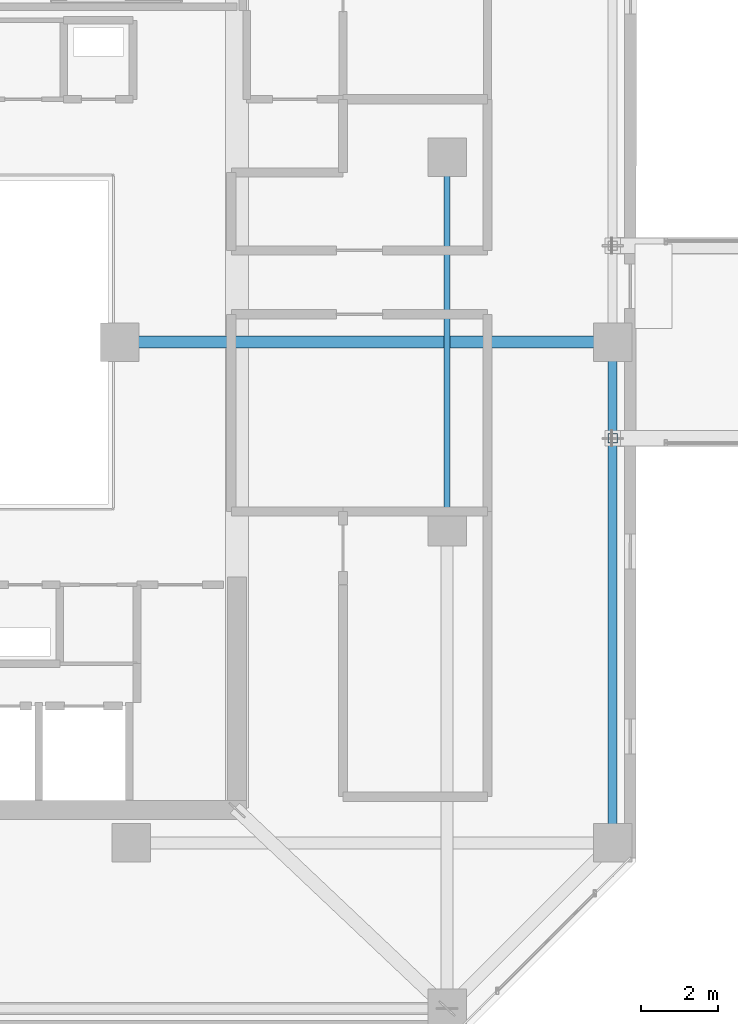
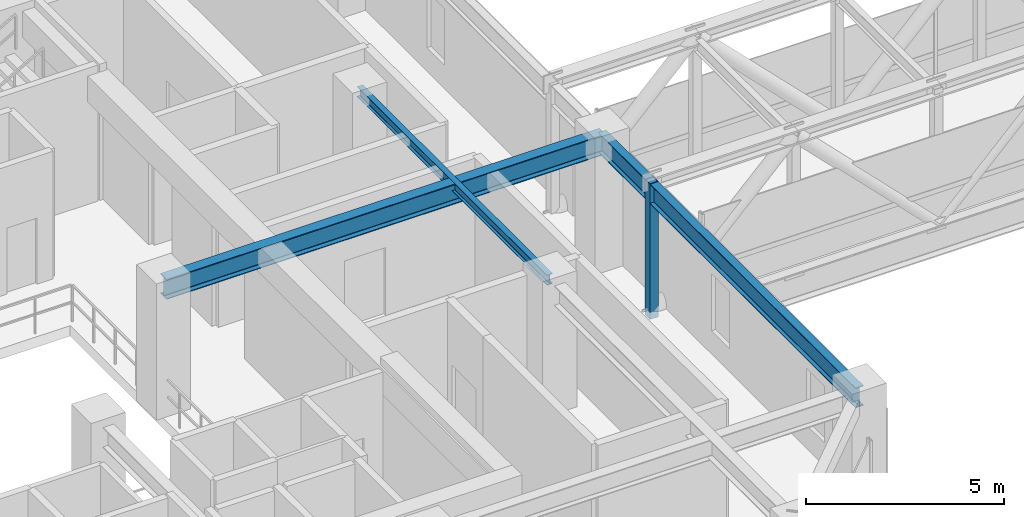
# One storey, part 7 of 42: 3 beams, 1 member.
"""IFC4 building model written with IfcOpenShell, lengths in metres."""

from ifc_helpers import new_model, si_unit, direction, frame, origin, origin_2d, place, context, subcontext, project, spatial, hollow_rectangle, i_section, extrude, material, material_profile, profile_set, type_object, element, save


model = new_model("IFC4")

# Units and contexts
model_context = context("Model", 3, precision=1e-05, world=origin(), true_north=direction((0.0, 1.0)))
body_context = subcontext(model_context, "Body", "Model", "MODEL_VIEW")
ifc_project = project(units=[si_unit("LENGTHUNIT", "METRE"), si_unit("AREAUNIT", "SQUARE_METRE"), si_unit("VOLUMEUNIT", "CUBIC_METRE"), si_unit("PLANEANGLEUNIT", "RADIAN"), si_unit("MASSUNIT", "GRAM", prefix="KILO")], contexts=[model_context])

# Site, building, storey
site_placement = place(None, origin())
site = spatial("IfcSite", under=ifc_project, at=site_placement, CompositionType="ELEMENT")
building_placement = place(site_placement, origin())
building = spatial("IfcBuilding", under=site, at=building_placement, Name="Thornwick Lancets Civic Towers", CompositionType="ELEMENT")
storey_placement = place(building_placement, frame((0.0, 0.0, 221.699951171875)))
storey = spatial("IfcBuildingStorey", under=building, at=storey_placement, Name="L59", CompositionType="ELEMENT", Elevation=221.699951171875)

# Beams
ifc_material_1 = material(Name="Steel S355JR", Category="steel")
ifc_material_profile_1 = material_profile(ifc_material_1, i_section(OverallWidth=0.230224609375, OverallDepth=0.6171875, WebThickness=0.01318359375, FlangeThickness=0.022216796875, FilletRadius=0.0126953125, at=origin_2d()), Name="UKB 610x229x140")
ifc_profile_set_1 = profile_set([ifc_material_profile_1], Name="Steel S355JR")
beam_type_1 = type_object("IfcBeamType", Name="BM_GIRD_610_140", PredefinedType="BEAM", material=ifc_profile_set_1)
beam_1_placement = place(storey_placement, frame((42.800048828125, 14.0, 3.6513671875), z_axis=(0.0, 1.0, 0.0), x_axis=(-1.0, 0.0, 0.0)))
element("IfcBeam", 1, at=beam_1_placement, inside=storey, type_object=beam_type_1, Name="BM-SPINE-L59-A-3-4", PredefinedType="BEAM", context=body_context, shape_type="SweptSolid", body=[
    extrude(i_section(OverallWidth=0.230224609375, OverallDepth=0.6171875, WebThickness=0.01318359375, FlangeThickness=0.022216796875, FilletRadius=0.0126953125, at=origin_2d()), origin(), (0.0, 0.0, 1.0), 13.0),
])
ifc_material_profile_2 = material_profile(ifc_material_1, i_section(OverallWidth=0.30712890625, OverallDepth=0.6201171875, WebThickness=0.01416015625, FlangeThickness=0.023681640625, FilletRadius=0.0166015625, at=origin_2d()), Name="UKB 610x305x179")
ifc_profile_set_2 = profile_set([ifc_material_profile_2], Name="Steel S355JR")
beam_type_2 = type_object("IfcBeamType", Name="BM_GIRD_610_179", PredefinedType="BEAM", material=ifc_profile_set_2)
beam_2_placement = place(storey_placement, frame((30.0, 27.0, 3.64990234375), z_axis=(1.0, 0.0, 0.0), x_axis=(0.0, 1.0, 0.0)))
element("IfcBeam", 2, at=beam_2_placement, inside=storey, type_object=beam_type_2, Name="BM-RADIN-L59-A05", PredefinedType="BEAM", context=body_context, shape_type="SweptSolid", body=[
    extrude(i_section(OverallWidth=0.30712890625, OverallDepth=0.6201171875, WebThickness=0.01416015625, FlangeThickness=0.023681640625, FilletRadius=0.0166015625, at=origin_2d()), origin(), (0.0, 0.0, 1.0), 12.800048828125),
])
ifc_material_profile_3 = material_profile(ifc_material_1, i_section(OverallWidth=0.1669921875, OverallDepth=0.310302734375, WebThickness=0.0078125, FlangeThickness=0.013671875, FilletRadius=0.0087890625, at=origin_2d()), Name="UKB 305x165x54")
ifc_profile_set_3 = profile_set([ifc_material_profile_3], Name="Steel S355JR")
beam_type_3 = type_object("IfcBeamType", Name="BM_LINTEL_305_54", PredefinedType="LINTEL", material=ifc_profile_set_3)
beam_3_placement = place(storey_placement, frame((38.5, 22.199951171875, 3.804931640625), z_axis=(0.0, 1.0, 0.0), x_axis=(-1.0, 0.0, 0.0)))
element("IfcBeam", 3, at=beam_3_placement, inside=storey, type_object=beam_type_3, Name="BM-INSP-L59-A-1-3", PredefinedType="LINTEL", context=body_context, shape_type="SweptSolid", body=[
    extrude(i_section(OverallWidth=0.1669921875, OverallDepth=0.310302734375, WebThickness=0.0078125, FlangeThickness=0.013671875, FilletRadius=0.0087890625, at=origin_2d()), origin(), (0.0, 0.0, 1.0), 9.60009765625),
])

# Member
ifc_material_2 = material(Name="Steel S460M", Category="steel")
ifc_material_profile_4 = material_profile(ifc_material_2, hollow_rectangle(XDim=0.25, YDim=0.25, WallThickness=0.01611328125, at=origin_2d()), Name="SHS 250x250x16")
ifc_profile_set_4 = profile_set([ifc_material_profile_4], Name="Steel S460M")
member_type = type_object("IfcMemberType", Name="MEM_BRG_WEB_SHS250", PredefinedType="BRACE", material=ifc_profile_set_4)
member_placement = place(storey_placement, frame((42.800048828125, 24.5, -0.219970703125), z_axis=(0.0, 0.0, 1.0), x_axis=(1.0, 0.0, 0.0)))
element("IfcMember", 4, at=member_placement, inside=storey, type_object=member_type, Name="L59 Skybridge Truss Post 1-0", PredefinedType="BRACE", context=body_context, shape_type="SweptSolid", body=[
    extrude(hollow_rectangle(XDim=0.25, YDim=0.25, WallThickness=0.01611328125, at=origin_2d()), origin(), (0.0, 0.0, 1.0), 4.179931640625),
])

save(model, "model.ifc")
